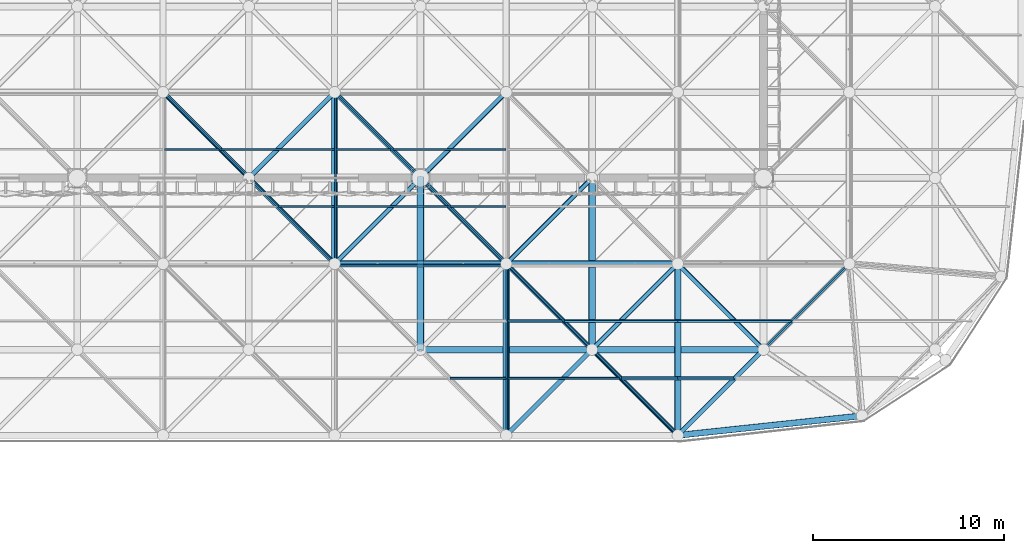
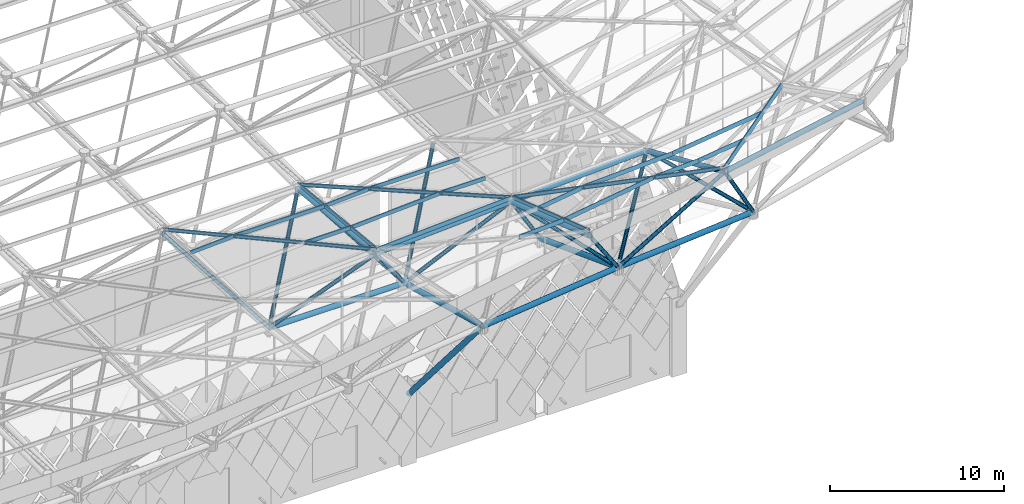
# One storey, part 88 of 437: 47 members.
"""IFC4 building model written with IfcOpenShell, lengths in metres."""

from ifc_helpers import new_model, si_unit, direction, frame, origin, origin_2d, place, context, subcontext, project, spatial, polyline, hollow_circle, outline, extrude, material, material_profile, profile_set, type_object, element, save


model = new_model("IFC4")

# Units and contexts
model_context = context("Model", 3, precision=1e-05, world=origin(), true_north=direction((0.0, 1.0)))
body_context = subcontext(model_context, "Body", "Model", "MODEL_VIEW")
ifc_project = project(units=[si_unit("LENGTHUNIT", "METRE"), si_unit("AREAUNIT", "SQUARE_METRE"), si_unit("VOLUMEUNIT", "CUBIC_METRE"), si_unit("PLANEANGLEUNIT", "RADIAN"), si_unit("MASSUNIT", "GRAM", prefix="KILO")], contexts=[model_context])

# Site, building, storey
site_placement = place(None, origin())
site = spatial("IfcSite", under=ifc_project, at=site_placement, CompositionType="ELEMENT")
building_placement = place(site_placement, origin())
building = spatial("IfcBuilding", under=site, at=building_placement, Name="Opaline Strait Convention Centre", CompositionType="ELEMENT")
storey_placement = place(building_placement, frame((0.0, 0.0, 11.5)))
storey = spatial("IfcBuildingStorey", under=building, at=storey_placement, Name="L02", CompositionType="ELEMENT", Elevation=11.5)

# Members
ifc_material = material(Name="Steel Q355B", Category="steel")
ifc_material_profile_1 = material_profile(ifc_material, hollow_circle(Radius=0.175537109375, WallThickness=0.01611328125, at=origin_2d()), Name="CHS 351x16")
ifc_profile_set_1 = profile_set([ifc_material_profile_1], Name="Steel Q355B")
member_type_1 = type_object("IfcMemberType", Name="Raking prop CHS 351x16", PredefinedType="BRACE", material=ifc_profile_set_1)
member_1_placement = place(storey_placement, frame((243.0, 53.48388671875, 5.0185546875), z_axis=(0.0, -0.651001904669, 0.759076096394), x_axis=(1.0, 0.0, 0.0)))
element("IfcMember", 1, at=member_1_placement, inside=storey, type_object=member_type_1, Name="Raking prop 243/54 S", PredefinedType="BRACE", context=body_context, shape_type="SweptSolid", body=[
    extrude(hollow_circle(Radius=0.175537109375, WallThickness=0.01611328125, at=origin_2d()), origin(), (0.0, 0.0, 1.0), 13.08203125),
])
ifc_material_profile_2 = material_profile(ifc_material, outline(polyline([(-0.03759765625, -0.125), (0.03759765625, -0.125), (0.03759765625, -0.10498046875), (0.034912109375, -0.10498046875), (0.034912109375, -0.12255859375), (-0.034912109375, -0.12255859375), (-0.034912109375, 0.12255859375), (0.034912109375, 0.12255859375), (0.034912109375, 0.10498046875), (0.03759765625, 0.10498046875), (0.03759765625, 0.125), (-0.03759765625, 0.125), (-0.03759765625, -0.125)])), Name="C 250x75x20x2.5")
ifc_profile_set_2 = profile_set([ifc_material_profile_2], Name="Steel Q355B")
member_type_2 = type_object("IfcMemberType", Name="Roof purlin C 250x75x20x2.5", PredefinedType="PURLIN", material=ifc_profile_set_2)
member_2_placement = place(storey_placement, frame((238.449951171875, 49.421630859375, 19.1728515625), z_axis=(0.998387986056, 0.0, 0.056757636488), x_axis=(0.018193669941, 0.947231539522, -0.320033437174)))
element("IfcMember", 2, at=member_2_placement, inside=storey, type_object=member_type_2, Name="EXB-RF-E-17-0a", PredefinedType="PURLIN", context=body_context, shape_type="SweptSolid", body=[
    extrude(outline(polyline([(-0.03759765625, -0.125), (0.03759765625, -0.125), (0.03759765625, -0.10498046875), (0.034912109375, -0.10498046875), (0.034912109375, -0.12255859375), (-0.034912109375, -0.12255859375), (-0.034912109375, 0.12255859375), (0.034912109375, 0.12255859375), (0.034912109375, 0.10498046875), (0.03759765625, 0.10498046875), (0.03759765625, 0.125), (-0.03759765625, 0.125), (-0.03759765625, -0.125)])), origin(), (0.0, 0.0, 1.0), 9.11474609375),
])
member_3_placement = place(storey_placement, frame((244.550048828125, 43.5, 21.52685546875), z_axis=(0.998387563836, 0.0, 0.05676506301), x_axis=(0.018222418982, 0.94707421578, -0.320497072141)))
element("IfcMember", 3, at=member_3_placement, inside=storey, type_object=member_type_2, Name="EXB-RF-P-17-0-0a", PredefinedType="PURLIN", context=body_context, shape_type="SweptSolid", body=[
    extrude(outline(polyline([(-0.03759765625, -0.125), (0.03759765625, -0.125), (0.03759765625, -0.10498046875), (0.034912109375, -0.10498046875), (0.034912109375, -0.12255859375), (-0.034912109375, -0.12255859375), (-0.034912109375, 0.12255859375), (0.034912109375, 0.12255859375), (0.034912109375, 0.10498046875), (0.03759765625, 0.10498046875), (0.03759765625, 0.125), (-0.03759765625, 0.125), (-0.03759765625, -0.125)])), origin(), (0.0, 0.0, 1.0), 2.954833984375),
])
member_4_placement = place(storey_placement, frame((256.5, 40.5, 24.05322265625), z_axis=(-0.668377219013, 0.668377219013, -0.326410456648), x_axis=(-0.730508511639, -0.672490667051, 0.118800745592)))
element("IfcMember", 4, at=member_4_placement, inside=storey, type_object=member_type_2, Name="EXB-RF-F-18-0", PredefinedType="PURLIN", context=body_context, shape_type="SweptSolid", body=[
    extrude(outline(polyline([(-0.03759765625, -0.125), (0.03759765625, -0.125), (0.03759765625, -0.10498046875), (0.034912109375, -0.10498046875), (0.034912109375, -0.12255859375), (-0.034912109375, -0.12255859375), (-0.034912109375, 0.12255859375), (0.034912109375, 0.12255859375), (0.034912109375, 0.10498046875), (0.03759765625, 0.10498046875), (0.03759765625, 0.125), (-0.03759765625, 0.125), (-0.03759765625, -0.125)])), origin(), (0.0, 0.0, 1.0), 13.46533203125),
])
member_5_placement = place(storey_placement, frame((253.550048828125, 43.5, 22.5947265625), z_axis=(0.998826047838, 0.0, 0.048440955395), x_axis=(0.019504249484, 0.915358568875, -0.402166973581)))
element("IfcMember", 5, at=member_5_placement, inside=storey, type_object=member_type_2, Name="EXB-RF-P-18-0-0a", PredefinedType="PURLIN", context=body_context, shape_type="SweptSolid", body=[
    extrude(outline(polyline([(-0.03759765625, -0.125), (0.03759765625, -0.125), (0.03759765625, -0.10498046875), (0.034912109375, -0.10498046875), (0.034912109375, -0.12255859375), (-0.034912109375, -0.12255859375), (-0.034912109375, 0.12255859375), (0.034912109375, 0.12255859375), (0.034912109375, 0.10498046875), (0.03759765625, 0.10498046875), (0.03759765625, 0.125), (-0.03759765625, 0.125), (-0.03759765625, -0.125)])), origin(), (0.0, 0.0, 1.0), 2.953369140625),
])
member_6_placement = place(storey_placement, frame((250.550048828125, 46.5, 21.129638671875), z_axis=(0.998827915203, 0.0, 0.048402436004), x_axis=(0.01948874005, 0.915358568875, -0.402167725456)))
element("IfcMember", 6, at=member_6_placement, inside=storey, type_object=member_type_2, Name="EXB-RF-P-18-0-1a", PredefinedType="PURLIN", context=body_context, shape_type="SweptSolid", body=[
    extrude(outline(polyline([(-0.03759765625, -0.125), (0.03759765625, -0.125), (0.03759765625, -0.10498046875), (0.034912109375, -0.10498046875), (0.034912109375, -0.12255859375), (-0.034912109375, -0.12255859375), (-0.034912109375, 0.12255859375), (0.034912109375, 0.12255859375), (0.034912109375, 0.10498046875), (0.03759765625, 0.10498046875), (0.03759765625, 0.125), (-0.03759765625, 0.125), (-0.03759765625, -0.125)])), origin(), (0.0, 0.0, 1.0), 5.95703125),
])
member_7_placement = place(storey_placement, frame((247.556884765625, 49.550048828125, 19.653564453125), z_axis=(0.0, -0.94707556838, 0.321010697294), x_axis=(0.990136950451, 0.044974525914, 0.132688022709)))
element("IfcMember", 7, at=member_7_placement, inside=storey, type_object=member_type_2, Name="EXB-RF-E-18-0b", PredefinedType="PURLIN", context=body_context, shape_type="SweptSolid", body=[
    extrude(outline(polyline([(-0.03759765625, -0.125), (0.03759765625, -0.125), (0.03759765625, -0.10498046875), (0.034912109375, -0.10498046875), (0.034912109375, -0.12255859375), (-0.034912109375, -0.12255859375), (-0.034912109375, 0.12255859375), (0.034912109375, 0.12255859375), (0.034912109375, 0.10498046875), (0.03759765625, 0.10498046875), (0.03759765625, 0.125), (-0.03759765625, 0.125), (-0.03759765625, -0.125)])), origin(), (0.0, 0.0, 1.0), 9.608642578125),
])
member_8_placement = place(storey_placement, frame((247.59130859375, 43.5, 21.709228515625), z_axis=(0.989024150242, 0.0, 0.147753951686), x_axis=(0.047431188677, 0.94707421578, -0.31749127885)))
element("IfcMember", 8, at=member_8_placement, inside=storey, type_object=member_type_2, Name="EXB-RF-P-18-0-0b", PredefinedType="PURLIN", context=body_context, shape_type="SweptSolid", body=[
    extrude(outline(polyline([(-0.03759765625, -0.125), (0.03759765625, -0.125), (0.03759765625, -0.10498046875), (0.034912109375, -0.10498046875), (0.034912109375, -0.12255859375), (-0.034912109375, -0.12255859375), (-0.034912109375, 0.12255859375), (0.034912109375, 0.12255859375), (0.034912109375, 0.10498046875), (0.03759765625, 0.10498046875), (0.03759765625, 0.125), (-0.03759765625, 0.125), (-0.03759765625, -0.125)])), origin(), (0.0, 0.0, 1.0), 5.923583984375),
])
member_9_placement = place(storey_placement, frame((247.59130859375, 46.5, 20.6923828125), z_axis=(0.989027242431, 0.0, 0.147733251944), x_axis=(0.047424543755, 0.94707421578, -0.317492271488)))
element("IfcMember", 9, at=member_9_placement, inside=storey, type_object=member_type_2, Name="EXB-RF-P-18-0-1b", PredefinedType="PURLIN", context=body_context, shape_type="SweptSolid", body=[
    extrude(outline(polyline([(-0.03759765625, -0.125), (0.03759765625, -0.125), (0.03759765625, -0.10498046875), (0.034912109375, -0.10498046875), (0.034912109375, -0.12255859375), (-0.034912109375, -0.12255859375), (-0.034912109375, 0.12255859375), (0.034912109375, 0.12255859375), (0.034912109375, 0.10498046875), (0.03759765625, 0.10498046875), (0.03759765625, 0.125), (-0.03759765625, 0.125), (-0.03759765625, -0.125)])), origin(), (0.0, 0.0, 1.0), 2.890380859375),
])
member_10_placement = place(storey_placement, frame((256.5, 40.5, 24.05810546875), z_axis=(0.690740022732, 0.690740022732, -0.213907554783), x_axis=(-0.713355387204, 0.602521591585, -0.357899180246)))
element("IfcMember", 10, at=member_10_placement, inside=storey, type_object=member_type_2, Name="EXB-RF-F-19-0", PredefinedType="PURLIN", context=body_context, shape_type="SweptSolid", body=[
    extrude(outline(polyline([(-0.03759765625, -0.125), (0.03759765625, -0.125), (0.03759765625, -0.10498046875), (0.034912109375, -0.10498046875), (0.034912109375, -0.12255859375), (-0.034912109375, -0.12255859375), (-0.034912109375, 0.12255859375), (0.034912109375, 0.12255859375), (0.034912109375, 0.10498046875), (0.03759765625, 0.10498046875), (0.03759765625, 0.125), (-0.03759765625, 0.125), (-0.03759765625, -0.125)])), origin(), (0.0, 0.0, 1.0), 13.029541015625),
])
member_11_placement = place(storey_placement, frame((256.5, 43.5, 22.738525390625), z_axis=(0.991632414904, 0.0, 0.12909358509), x_axis=(0.05197819634, 0.915358568875, -0.39927053171)))
element("IfcMember", 11, at=member_11_placement, inside=storey, type_object=member_type_2, Name="EXB-RF-P-19-0-0b", PredefinedType="PURLIN", context=body_context, shape_type="SweptSolid", body=[
    extrude(outline(polyline([(-0.03759765625, -0.125), (0.03759765625, -0.125), (0.03759765625, -0.10498046875), (0.034912109375, -0.10498046875), (0.034912109375, -0.12255859375), (-0.034912109375, -0.12255859375), (-0.034912109375, 0.12255859375), (0.034912109375, 0.12255859375), (0.034912109375, 0.10498046875), (0.03759765625, 0.10498046875), (0.03759765625, 0.125), (-0.03759765625, 0.125), (-0.03759765625, -0.125)])), origin(), (0.0, 0.0, 1.0), 2.974853515625),
])
member_12_placement = place(storey_placement, frame((256.5, 46.5, 21.4189453125), z_axis=(0.99163078707, 0.0, 0.129106088686), x_axis=(0.051983230784, 0.915358568875, -0.39926987628)))
element("IfcMember", 12, at=member_12_placement, inside=storey, type_object=member_type_2, Name="EXB-RF-P-19-0-1b", PredefinedType="PURLIN", context=body_context, shape_type="SweptSolid", body=[
    extrude(outline(polyline([(-0.03759765625, -0.125), (0.03759765625, -0.125), (0.03759765625, -0.10498046875), (0.034912109375, -0.10498046875), (0.034912109375, -0.12255859375), (-0.034912109375, -0.12255859375), (-0.034912109375, 0.12255859375), (0.034912109375, 0.12255859375), (0.034912109375, 0.10498046875), (0.03759765625, 0.10498046875), (0.03759765625, 0.125), (-0.03759765625, 0.125), (-0.03759765625, -0.125)])), origin(), (0.0, 0.0, 1.0), 6.000244140625),
])
member_13_placement = place(storey_placement, frame((238.5, 49.5, 19.144287109375), z_axis=(-0.705385748856, 0.705385748856, -0.069727258812), x_axis=(-0.706758384602, -0.707423051329, -0.006724004996)))
element("IfcMember", 13, at=member_13_placement, inside=storey, type_object=member_type_2, Name="EXB-RF-F-16-1", PredefinedType="PURLIN", context=body_context, shape_type="SweptSolid", body=[
    extrude(outline(polyline([(-0.03759765625, -0.125), (0.03759765625, -0.125), (0.03759765625, -0.10498046875), (0.034912109375, -0.10498046875), (0.034912109375, -0.12255859375), (-0.034912109375, -0.12255859375), (-0.034912109375, 0.12255859375), (0.034912109375, 0.12255859375), (0.034912109375, 0.10498046875), (0.03759765625, 0.10498046875), (0.03759765625, 0.125), (-0.03759765625, 0.125), (-0.03759765625, -0.125)])), origin(), (0.0, 0.0, 1.0), 12.759033203125),
])
member_14_placement = place(storey_placement, frame((235.550048828125, 52.5, 18.850341796875), z_axis=(1.0, 0.0, 0.0), x_axis=(0.0, 0.995149078082, -0.098378414266)))
element("IfcMember", 14, at=member_14_placement, inside=storey, type_object=member_type_2, Name="EXB-RF-P-16-1-0a", PredefinedType="PURLIN", context=body_context, shape_type="SweptSolid", body=[
    extrude(outline(polyline([(-0.03759765625, -0.125), (0.03759765625, -0.125), (0.03759765625, -0.10498046875), (0.034912109375, -0.10498046875), (0.034912109375, -0.12255859375), (-0.034912109375, -0.12255859375), (-0.034912109375, 0.12255859375), (0.034912109375, 0.12255859375), (0.034912109375, 0.10498046875), (0.03759765625, 0.10498046875), (0.03759765625, 0.125), (-0.03759765625, 0.125), (-0.03759765625, -0.125)])), origin(), (0.0, 0.0, 1.0), 2.949951171875),
])
member_15_placement = place(storey_placement, frame((232.550048828125, 55.5, 18.5537109375), z_axis=(1.0, 0.0, 0.0), x_axis=(0.0, 0.995149078082, -0.098378414266)))
element("IfcMember", 15, at=member_15_placement, inside=storey, type_object=member_type_2, Name="EXB-RF-P-16-1-1a", PredefinedType="PURLIN", context=body_context, shape_type="SweptSolid", body=[
    extrude(outline(polyline([(-0.03759765625, -0.125), (0.03759765625, -0.125), (0.03759765625, -0.10498046875), (0.034912109375, -0.10498046875), (0.034912109375, -0.12255859375), (-0.034912109375, -0.12255859375), (-0.034912109375, 0.12255859375), (0.034912109375, 0.12255859375), (0.034912109375, 0.10498046875), (0.03759765625, 0.10498046875), (0.03759765625, 0.125), (-0.03759765625, 0.125), (-0.03759765625, -0.125)])), origin(), (0.0, 0.0, 1.0), 5.949951171875),
])
member_16_placement = place(storey_placement, frame((229.5810546875, 55.5, 18.3955078125), z_axis=(0.998533968288, 0.0, 0.054128681627), x_axis=(0.00241447924, 0.999004644434, -0.044540887834)))
element("IfcMember", 16, at=member_16_placement, inside=storey, type_object=member_type_2, Name="EXB-RF-P-16-1-1b", PredefinedType="PURLIN", context=body_context, shape_type="SweptSolid", body=[
    extrude(outline(polyline([(-0.03759765625, -0.125), (0.03759765625, -0.125), (0.03759765625, -0.10498046875), (0.034912109375, -0.10498046875), (0.034912109375, -0.12255859375), (-0.034912109375, -0.12255859375), (-0.034912109375, 0.12255859375), (0.034912109375, 0.12255859375), (0.034912109375, 0.10498046875), (0.03759765625, 0.10498046875), (0.03759765625, 0.125), (-0.03759765625, 0.125), (-0.03759765625, -0.125)])), origin(), (0.0, 0.0, 1.0), 2.873046875),
])
member_17_placement = place(storey_placement, frame((247.5, 49.5, 19.65625), z_axis=(-0.702859440181, 0.702859440181, -0.109440461877), x_axis=(-0.709082248744, -0.704515580248, 0.029328513489)))
element("IfcMember", 17, at=member_17_placement, inside=storey, type_object=member_type_2, Name="EXB-RF-F-17-1", PredefinedType="PURLIN", context=body_context, shape_type="SweptSolid", body=[
    extrude(outline(polyline([(-0.03759765625, -0.125), (0.03759765625, -0.125), (0.03759765625, -0.10498046875), (0.034912109375, -0.10498046875), (0.034912109375, -0.12255859375), (-0.034912109375, -0.12255859375), (-0.034912109375, 0.12255859375), (0.034912109375, 0.12255859375), (0.034912109375, 0.10498046875), (0.03759765625, 0.10498046875), (0.03759765625, 0.125), (-0.03759765625, 0.125), (-0.03759765625, -0.125)])), origin(), (0.0, 0.0, 1.0), 12.804931640625),
])
member_18_placement = place(storey_placement, frame((244.550048828125, 52.5, 19.191650390625), z_axis=(1.0, 0.0, 0.0), x_axis=(0.0, 0.988092083083, -0.153863690806)))
element("IfcMember", 18, at=member_18_placement, inside=storey, type_object=member_type_2, Name="EXB-RF-P-17-1-0a", PredefinedType="PURLIN", context=body_context, shape_type="SweptSolid", body=[
    extrude(outline(polyline([(-0.03759765625, -0.125), (0.03759765625, -0.125), (0.03759765625, -0.10498046875), (0.034912109375, -0.10498046875), (0.034912109375, -0.12255859375), (-0.034912109375, -0.12255859375), (-0.034912109375, 0.12255859375), (0.034912109375, 0.12255859375), (0.034912109375, 0.10498046875), (0.03759765625, 0.10498046875), (0.03759765625, 0.125), (-0.03759765625, 0.125), (-0.03759765625, -0.125)])), origin(), (0.0, 0.0, 1.0), 2.949951171875),
])
member_19_placement = place(storey_placement, frame((241.550048828125, 55.5, 18.724609375), z_axis=(1.0, 0.0, 0.0), x_axis=(0.0, 0.988092083083, -0.153863690806)))
element("IfcMember", 19, at=member_19_placement, inside=storey, type_object=member_type_2, Name="EXB-RF-P-17-1-1a", PredefinedType="PURLIN", context=body_context, shape_type="SweptSolid", body=[
    extrude(outline(polyline([(-0.03759765625, -0.125), (0.03759765625, -0.125), (0.03759765625, -0.10498046875), (0.034912109375, -0.10498046875), (0.034912109375, -0.12255859375), (-0.034912109375, -0.12255859375), (-0.034912109375, 0.12255859375), (0.034912109375, 0.12255859375), (0.034912109375, 0.10498046875), (0.03759765625, 0.10498046875), (0.03759765625, 0.125), (-0.03759765625, 0.125), (-0.03759765625, -0.125)])), origin(), (0.0, 0.0, 1.0), 5.949951171875),
])
member_20_placement = place(storey_placement, frame((238.546875, 58.550048828125, 18.255126953125), z_axis=(0.0, -0.99514863855, 0.098382860253), x_axis=(0.998402930819, 0.005558054974, 0.056220065425)))
element("IfcMember", 20, at=member_20_placement, inside=storey, type_object=member_type_2, Name="EXB-RF-E-17-1b", PredefinedType="PURLIN", context=body_context, shape_type="SweptSolid", body=[
    extrude(outline(polyline([(-0.03759765625, -0.125), (0.03759765625, -0.125), (0.03759765625, -0.10498046875), (0.034912109375, -0.10498046875), (0.034912109375, -0.12255859375), (-0.034912109375, -0.12255859375), (-0.034912109375, 0.12255859375), (0.034912109375, 0.12255859375), (0.034912109375, 0.10498046875), (0.03759765625, 0.10498046875), (0.03759765625, 0.125), (-0.03759765625, 0.125), (-0.03759765625, -0.125)])), origin(), (0.0, 0.0, 1.0), 9.14453125),
])
member_21_placement = place(storey_placement, frame((238.581298828125, 52.5, 18.855224609375), z_axis=(0.998389263673, 0.0, 0.056735158257), x_axis=(0.005581514902, 0.995149078082, -0.09821995258)))
element("IfcMember", 21, at=member_21_placement, inside=storey, type_object=member_type_2, Name="EXB-RF-P-17-1-0b", PredefinedType="PURLIN", context=body_context, shape_type="SweptSolid", body=[
    extrude(outline(polyline([(-0.03759765625, -0.125), (0.03759765625, -0.125), (0.03759765625, -0.10498046875), (0.034912109375, -0.10498046875), (0.034912109375, -0.12255859375), (-0.034912109375, -0.12255859375), (-0.034912109375, 0.12255859375), (0.034912109375, 0.12255859375), (0.034912109375, 0.10498046875), (0.03759765625, 0.10498046875), (0.03759765625, 0.125), (-0.03759765625, 0.125), (-0.03759765625, -0.125)])), origin(), (0.0, 0.0, 1.0), 5.878173828125),
])
member_22_placement = place(storey_placement, frame((238.581298828125, 55.5, 18.55859375), z_axis=(0.998387885039, 0.0, 0.056759413379), x_axis=(0.005583901083, 0.995149078082, -0.098219816952)))
element("IfcMember", 22, at=member_22_placement, inside=storey, type_object=member_type_2, Name="EXB-RF-P-17-1-1b", PredefinedType="PURLIN", context=body_context, shape_type="SweptSolid", body=[
    extrude(outline(polyline([(-0.03759765625, -0.125), (0.03759765625, -0.125), (0.03759765625, -0.10498046875), (0.034912109375, -0.10498046875), (0.034912109375, -0.12255859375), (-0.034912109375, -0.12255859375), (-0.034912109375, 0.12255859375), (0.034912109375, 0.12255859375), (0.034912109375, 0.10498046875), (0.03759765625, 0.10498046875), (0.03759765625, 0.125), (-0.03759765625, 0.125), (-0.03759765625, -0.125)])), origin(), (0.0, 0.0, 1.0), 2.873291015625),
])
ifc_material_profile_3 = material_profile(ifc_material, hollow_circle(Radius=0.175537109375, WallThickness=0.01611328125, at=origin_2d()), Name="CHS 351x16")
ifc_profile_set_3 = profile_set([ifc_material_profile_3], Name="Steel Q355B")
member_type_3 = type_object("IfcMemberType", Name="Space frame bottom chord CHS 351x16", PredefinedType="CHORD", material=ifc_profile_set_3)
member_23_placement = place(storey_placement, frame((242.9501953125, 45.0, 14.9052734375), z_axis=(0.993995425291, 0.0, 0.109421636348), x_axis=(0.0, 1.0, 0.0)))
element("IfcMember", 23, at=member_23_placement, inside=storey, type_object=member_type_3, Name="EXB-RF-BX-17-0", PredefinedType="CHORD", context=body_context, shape_type="SweptSolid", body=[
    extrude(hollow_circle(Radius=0.175537109375, WallThickness=0.01611328125, at=origin_2d()), origin(), (0.0, 0.0, 1.0), 9.154541015625),
])
member_24_placement = place(storey_placement, frame((251.9501953125, 45.0, 15.897216796875), z_axis=(0.996499137169, 0.0, 0.083603047916), x_axis=(0.0, 1.0, 0.0)))
element("IfcMember", 24, at=member_24_placement, inside=storey, type_object=member_type_3, Name="EXB-RF-BX-18-0", PredefinedType="CHORD", context=body_context, shape_type="SweptSolid", body=[
    extrude(hollow_circle(Radius=0.175537109375, WallThickness=0.01611328125, at=origin_2d()), origin(), (0.0, 0.0, 1.0), 9.131591796875),
])
member_25_placement = place(storey_placement, frame((233.949951171875, 54.0, 12.5), z_axis=(1.0, 0.0, 0.0), x_axis=(0.0, 1.0, 0.0)))
element("IfcMember", 25, at=member_25_placement, inside=storey, type_object=member_type_3, Name="EXB-RF-BX-16-1", PredefinedType="CHORD", context=body_context, shape_type="SweptSolid", body=[
    extrude(hollow_circle(Radius=0.175537109375, WallThickness=0.01611328125, at=origin_2d()), origin(), (0.0, 0.0, 1.0), 9.10009765625),
])
member_26_placement = place(storey_placement, frame((243.0, 44.95166015625, 14.923828125), z_axis=(0.0, 0.965943886193, -0.258751635215), x_axis=(-1.0, 0.0, 0.0)))
element("IfcMember", 26, at=member_26_placement, inside=storey, type_object=member_type_3, Name="EXB-RF-BY-17-0", PredefinedType="CHORD", context=body_context, shape_type="SweptSolid", body=[
    extrude(hollow_circle(Radius=0.175537109375, WallThickness=0.01611328125, at=origin_2d()), origin(), (0.0, 0.0, 1.0), 9.41748046875),
])
member_27_placement = place(storey_placement, frame((252.0, 44.953125, 15.919189453125), z_axis=(0.0, 0.935426145713, -0.353522171746), x_axis=(-1.0, 0.0, 0.0)))
element("IfcMember", 27, at=member_27_placement, inside=storey, type_object=member_type_3, Name="EXB-RF-BY-18-0", PredefinedType="CHORD", context=body_context, shape_type="SweptSolid", body=[
    extrude(hollow_circle(Radius=0.175537109375, WallThickness=0.01611328125, at=origin_2d()), origin(), (0.0, 0.0, 1.0), 9.721435546875),
])
ifc_material_profile_4 = material_profile(ifc_material, hollow_circle(Radius=0.16259765625, WallThickness=0.02001953125, at=origin_2d()), Name="CHS 325x20")
ifc_profile_set_4 = profile_set([ifc_material_profile_4], Name="Steel Q355B")
member_type_4 = type_object("IfcMemberType", Name="Space frame top chord CHS 325x20", PredefinedType="CHORD", material=ifc_profile_set_4)
member_28_placement = place(storey_placement, frame((256.450439453125, 40.49462890625, 23.763427734375), z_axis=(0.989856938619, 0.105249170228, 0.095424594498), x_axis=(-0.105731659596, 0.994394698376, 0.0)))
element("IfcMember", 28, at=member_28_placement, inside=storey, type_object=member_type_4, Name="EXB-RF-TX-19-0", PredefinedType="CHORD", context=body_context, shape_type="SweptSolid", body=[
    extrude(hollow_circle(Radius=0.16259765625, WallThickness=0.02001953125, at=origin_2d()), origin(), (0.0, 0.0, 1.0), 9.865478515625),
])
member_29_placement = place(storey_placement, frame((238.4501953125, 49.5, 18.8583984375), z_axis=(0.998387813469, 0.0, 0.056760672267), x_axis=(0.0, 1.0, 0.0)))
element("IfcMember", 29, at=member_29_placement, inside=storey, type_object=member_type_4, Name="EXB-RF-TX-17-1", PredefinedType="CHORD", context=body_context, shape_type="SweptSolid", body=[
    extrude(hollow_circle(Radius=0.16259765625, WallThickness=0.02001953125, at=origin_2d()), origin(), (0.0, 0.0, 1.0), 9.1142578125),
])
member_30_placement = place(storey_placement, frame((247.449951171875, 49.5, 19.37060546875), z_axis=(0.99882696864, 0.0, 0.048421965239), x_axis=(0.0, 1.0, 0.0)))
element("IfcMember", 30, at=member_30_placement, inside=storey, type_object=member_type_4, Name="EXB-RF-TX-18-1", PredefinedType="CHORD", context=body_context, shape_type="SweptSolid", body=[
    extrude(hollow_circle(Radius=0.16259765625, WallThickness=0.02001953125, at=origin_2d()), origin(), (0.0, 0.0, 1.0), 9.11083984375),
])
member_31_placement = place(storey_placement, frame((238.5, 49.4501953125, 18.8662109375), z_axis=(0.0, 0.995148121675, -0.098388088334), x_axis=(-1.0, 0.0, 0.0)))
element("IfcMember", 31, at=member_31_placement, inside=storey, type_object=member_type_4, Name="EXB-RF-TY-17-1", PredefinedType="CHORD", context=body_context, shape_type="SweptSolid", body=[
    extrude(hollow_circle(Radius=0.16259765625, WallThickness=0.02001953125, at=origin_2d()), origin(), (0.0, 0.0, 1.0), 9.14404296875),
])
member_32_placement = place(storey_placement, frame((247.5, 40.45263671875, 22.439697265625), z_axis=(0.0, 0.947072036929, -0.321021115921), x_axis=(-1.0, 0.0, 0.0)))
element("IfcMember", 32, at=member_32_placement, inside=storey, type_object=member_type_4, Name="EXB-RF-TY-18-0", PredefinedType="CHORD", context=body_context, shape_type="SweptSolid", body=[
    extrude(hollow_circle(Radius=0.16259765625, WallThickness=0.02001953125, at=origin_2d()), origin(), (0.0, 0.0, 1.0), 9.60302734375),
])
member_33_placement = place(storey_placement, frame((256.5, 40.454345703125, 23.788330078125), z_axis=(0.0, 0.915357797375, -0.402641407192), x_axis=(-1.0, 0.0, 0.0)))
element("IfcMember", 33, at=member_33_placement, inside=storey, type_object=member_type_4, Name="EXB-RF-TY-19-0", PredefinedType="CHORD", context=body_context, shape_type="SweptSolid", body=[
    extrude(hollow_circle(Radius=0.16259765625, WallThickness=0.02001953125, at=origin_2d()), origin(), (0.0, 0.0, 1.0), 9.931884765625),
])
ifc_material_profile_5 = material_profile(ifc_material, hollow_circle(Radius=0.12255859375, WallThickness=0.011962890625, at=origin_2d()), Name="CHS 245x12")
ifc_profile_set_5 = profile_set([ifc_material_profile_5], Name="Steel Q355B")
member_type_5 = type_object("IfcMemberType", Name="Space frame web CHS 245x12", PredefinedType="BRACE", material=ifc_profile_set_5)
member_34_placement = place(storey_placement, frame((229.47314453125, 58.52685546875, 18.004150390625), z_axis=(0.536178220346, -0.536178220346, -0.6519400525), x_axis=(0.707106781187, 0.707106781187, 0.0)))
element("IfcMember", 34, at=member_34_placement, inside=storey, type_object=member_type_5, Name="EXB-RF-W-16-1-01", PredefinedType="BRACE", context=body_context, shape_type="SweptSolid", body=[
    extrude(hollow_circle(Radius=0.12255859375, WallThickness=0.011962890625, at=origin_2d()), origin(), (0.0, 0.0, 1.0), 8.492919921875),
])
member_35_placement = place(storey_placement, frame((238.52490234375, 49.47509765625, 18.896484375), z_axis=(-0.50009756062, 0.50009756062, -0.706968782708), x_axis=(-0.707106781187, -0.707106781187, 0.0)))
element("IfcMember", 35, at=member_35_placement, inside=storey, type_object=member_type_5, Name="EXB-RF-W-16-1-10", PredefinedType="BRACE", context=body_context, shape_type="SweptSolid", body=[
    extrude(hollow_circle(Radius=0.12255859375, WallThickness=0.011962890625, at=origin_2d()), origin(), (0.0, 0.0, 1.0), 9.097900390625),
])
member_36_placement = place(storey_placement, frame((238.52685546875, 58.52685546875, 18.004150390625), z_axis=(-0.536178220346, -0.536178220346, -0.6519400525), x_axis=(0.707106781187, -0.707106781187, 0.0)))
element("IfcMember", 36, at=member_36_placement, inside=storey, type_object=member_type_5, Name="EXB-RF-W-16-1-11", PredefinedType="BRACE", context=body_context, shape_type="SweptSolid", body=[
    extrude(hollow_circle(Radius=0.12255859375, WallThickness=0.011962890625, at=origin_2d()), origin(), (0.0, 0.0, 1.0), 8.492919921875),
])
member_37_placement = place(storey_placement, frame((238.47509765625, 49.47509765625, 18.896484375), z_axis=(0.50009756062, 0.50009756062, -0.706968782708), x_axis=(-0.707106781187, 0.707106781187, 0.0)))
element("IfcMember", 37, at=member_37_placement, inside=storey, type_object=member_type_5, Name="EXB-RF-W-17-1-00", PredefinedType="BRACE", context=body_context, shape_type="SweptSolid", body=[
    extrude(hollow_circle(Radius=0.12255859375, WallThickness=0.011962890625, at=origin_2d()), origin(), (0.0, 0.0, 1.0), 9.097900390625),
])
member_38_placement = place(storey_placement, frame((238.47314453125, 58.52685546875, 18.004150390625), z_axis=(0.536178220346, -0.536178220346, -0.6519400525), x_axis=(0.707106781187, 0.707106781187, 0.0)))
element("IfcMember", 38, at=member_38_placement, inside=storey, type_object=member_type_5, Name="EXB-RF-W-17-1-01", PredefinedType="BRACE", context=body_context, shape_type="SweptSolid", body=[
    extrude(hollow_circle(Radius=0.12255859375, WallThickness=0.011962890625, at=origin_2d()), origin(), (0.0, 0.0, 1.0), 8.492919921875),
])
member_39_placement = place(storey_placement, frame((247.52392578125, 49.47607421875, 19.40966796875), z_axis=(-0.480409370333, 0.480409370333, -0.733766770706), x_axis=(-0.707106781187, -0.707106781187, 0.0)))
element("IfcMember", 39, at=member_39_placement, inside=storey, type_object=member_type_5, Name="EXB-RF-W-17-1-10", PredefinedType="BRACE", context=body_context, shape_type="SweptSolid", body=[
    extrude(hollow_circle(Radius=0.12255859375, WallThickness=0.011962890625, at=origin_2d()), origin(), (0.0, 0.0, 1.0), 9.466552734375),
])
member_40_placement = place(storey_placement, frame((247.52685546875, 58.52685546875, 18.004150390625), z_axis=(-0.536178220346, -0.536178220346, -0.6519400525), x_axis=(0.707106781187, -0.707106781187, 0.0)))
element("IfcMember", 40, at=member_40_placement, inside=storey, type_object=member_type_5, Name="EXB-RF-W-17-1-11", PredefinedType="BRACE", context=body_context, shape_type="SweptSolid", body=[
    extrude(hollow_circle(Radius=0.12255859375, WallThickness=0.011962890625, at=origin_2d()), origin(), (0.0, 0.0, 1.0), 8.492919921875),
])
member_41_placement = place(storey_placement, frame((247.475341796875, 40.475341796875, 22.459228515625), z_axis=(0.493829497226, 0.493829497226, -0.715726802167), x_axis=(-0.707106781187, 0.707106781187, 0.0)))
element("IfcMember", 41, at=member_41_placement, inside=storey, type_object=member_type_5, Name="EXB-RF-W-18-0-00", PredefinedType="BRACE", context=body_context, shape_type="SweptSolid", body=[
    extrude(hollow_circle(Radius=0.12255859375, WallThickness=0.011962890625, at=origin_2d()), origin(), (0.0, 0.0, 1.0), 9.21240234375),
])
member_42_placement = place(storey_placement, frame((247.468994140625, 49.531005859375, 19.39697265625), z_axis=(0.620747928785, -0.620747928785, -0.478898755291), x_axis=(0.707106781187, 0.707106781187, 0.0)))
element("IfcMember", 42, at=member_42_placement, inside=storey, type_object=member_type_5, Name="EXB-RF-W-18-0-01", PredefinedType="BRACE", context=body_context, shape_type="SweptSolid", body=[
    extrude(hollow_circle(Radius=0.12255859375, WallThickness=0.011962890625, at=origin_2d()), origin(), (0.0, 0.0, 1.0), 7.34912109375),
])
member_43_placement = place(storey_placement, frame((256.522216796875, 40.477783203125, 23.80712890625), z_axis=(-0.444721060586, 0.444721060586, -0.777461482353), x_axis=(-0.707106781187, -0.707106781187, 0.0)))
element("IfcMember", 43, at=member_43_placement, inside=storey, type_object=member_type_5, Name="EXB-RF-W-18-0-10", PredefinedType="BRACE", context=body_context, shape_type="SweptSolid", body=[
    extrude(hollow_circle(Radius=0.12255859375, WallThickness=0.011962890625, at=origin_2d()), origin(), (0.0, 0.0, 1.0), 10.218505859375),
])
member_44_placement = place(storey_placement, frame((256.530029296875, 49.530029296875, 19.83544921875), z_axis=(-0.60256121026, -0.60256121026, -0.523297215528), x_axis=(0.707106781187, -0.707106781187, 0.0)))
element("IfcMember", 44, at=member_44_placement, inside=storey, type_object=member_type_5, Name="EXB-RF-W-18-0-11", PredefinedType="BRACE", context=body_context, shape_type="SweptSolid", body=[
    extrude(hollow_circle(Radius=0.12255859375, WallThickness=0.011962890625, at=origin_2d()), origin(), (0.0, 0.0, 1.0), 7.56787109375),
])
member_45_placement = place(storey_placement, frame((247.47607421875, 49.47607421875, 19.40966796875), z_axis=(0.480409370333, 0.480409370333, -0.733766770706), x_axis=(-0.707106781187, 0.707106781187, 0.0)))
element("IfcMember", 45, at=member_45_placement, inside=storey, type_object=member_type_5, Name="EXB-RF-W-18-1-00", PredefinedType="BRACE", context=body_context, shape_type="SweptSolid", body=[
    extrude(hollow_circle(Radius=0.12255859375, WallThickness=0.011962890625, at=origin_2d()), origin(), (0.0, 0.0, 1.0), 9.466552734375),
])
member_46_placement = place(storey_placement, frame((256.476318359375, 40.476318359375, 23.805419921875), z_axis=(0.471540529524, 0.471540529524, -0.745183908866), x_axis=(-0.707106781187, 0.707106781187, 0.0)))
element("IfcMember", 46, at=member_46_placement, inside=storey, type_object=member_type_5, Name="EXB-RF-W-19-0-00", PredefinedType="BRACE", context=body_context, shape_type="SweptSolid", body=[
    extrude(hollow_circle(Radius=0.12255859375, WallThickness=0.011962890625, at=origin_2d()), origin(), (0.0, 0.0, 1.0), 9.6435546875),
])
member_47_placement = place(storey_placement, frame((256.46826171875, 49.53173828125, 19.83154296875), z_axis=(0.63361366965, -0.63361366965, -0.443922780747), x_axis=(0.707106781187, 0.707106781187, 0.0)))
element("IfcMember", 47, at=member_47_placement, inside=storey, type_object=member_type_5, Name="EXB-RF-W-19-0-01", PredefinedType="BRACE", context=body_context, shape_type="SweptSolid", body=[
    extrude(hollow_circle(Radius=0.12255859375, WallThickness=0.011962890625, at=origin_2d()), origin(), (0.0, 0.0, 1.0), 7.202392578125),
])

save(model, "model.ifc")
